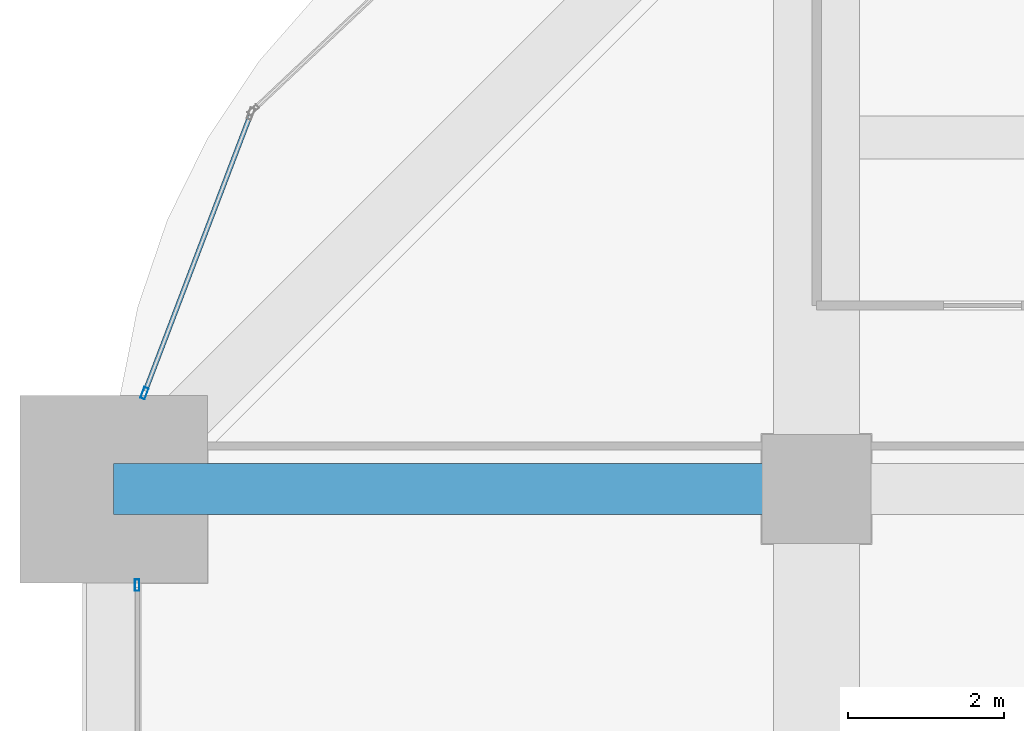
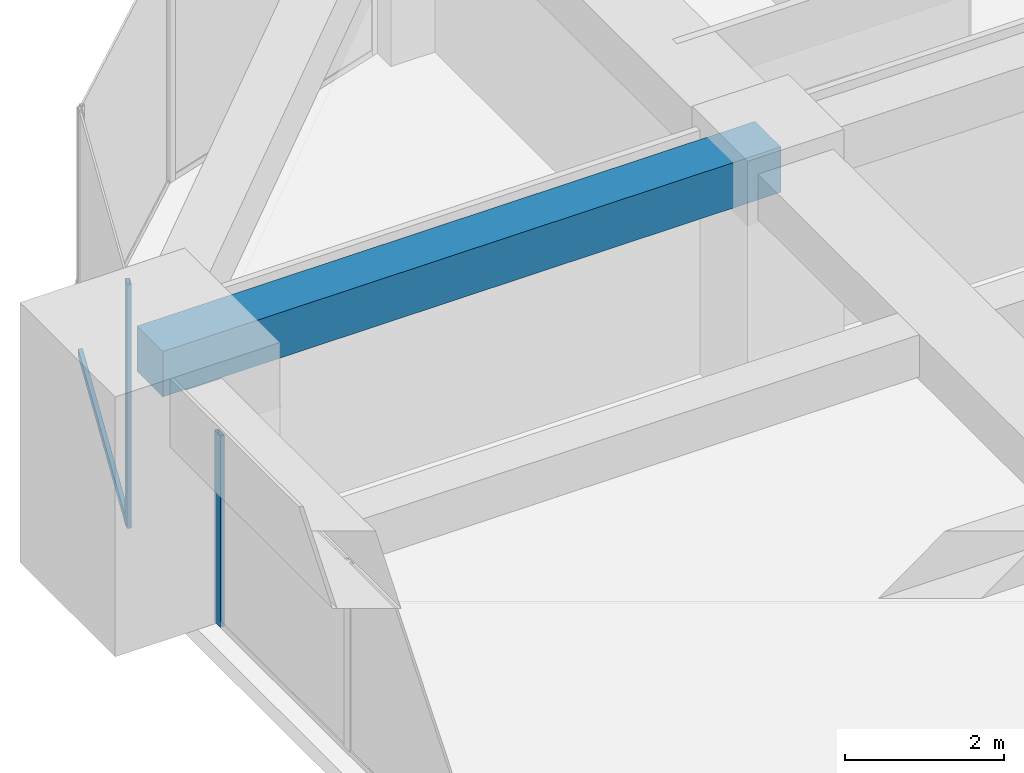
# One storey, part 20 of 32: 3 members, 1 beam, 2 elements without a shape of their own.
"""IFC4 building model written with IfcOpenShell, lengths in metres."""

from ifc_helpers import new_model, si_unit, direction, frame, origin, origin_2d, place, context, subcontext, project, spatial, rectangle, hollow_rectangle, extrude, material, material_profile, profile_set, type_object, element, aggregate, save


model = new_model("IFC4")

# Units and contexts
model_context = context("Model", 3, precision=1e-05, world=origin(), true_north=direction((0.0, 1.0)))
body_context = subcontext(model_context, "Body", "Model", "MODEL_VIEW")
ifc_project = project(units=[si_unit("LENGTHUNIT", "METRE"), si_unit("AREAUNIT", "SQUARE_METRE"), si_unit("VOLUMEUNIT", "CUBIC_METRE"), si_unit("PLANEANGLEUNIT", "RADIAN"), si_unit("MASSUNIT", "GRAM", prefix="KILO")], contexts=[model_context])

# Site, building, storey
site_placement = place(None, origin())
site = spatial("IfcSite", under=ifc_project, at=site_placement, CompositionType="ELEMENT")
building_placement = place(site_placement, origin())
building = spatial("IfcBuilding", under=site, at=building_placement, Name="Zorevar Civic Tower", CompositionType="ELEMENT")
storey_placement = place(building_placement, frame((0.0, 0.0, 198.199951171875)))
storey = spatial("IfcBuildingStorey", under=building, at=storey_placement, Name="L48", CompositionType="ELEMENT", Elevation=198.199951171875)

# Beam
ifc_material_1 = material(Name="Concrete C50/60", Category="concrete")
ifc_material_profile_1 = material_profile(ifc_material_1, rectangle(XDim=0.64990234375, YDim=0.699951171875, at=origin_2d()), Name="RC 650x700")
ifc_profile_set_1 = profile_set([ifc_material_profile_1], Name="Concrete C50/60")
beam_type = type_object("IfcBeamType", Name="Beam RC 650x700", PredefinedType="BEAM", material=ifc_profile_set_1)
beam_placement = place(storey_placement, frame((0.0, 36.0, 3.400146484375), z_axis=(1.0, 0.0, 0.0), x_axis=(0.0, 1.0, 0.0)))
element("IfcBeam", 1, at=beam_placement, inside=storey, type_object=beam_type, Name="Girder L49", PredefinedType="BEAM", context=body_context, shape_type="SweptSolid", body=[
    extrude(rectangle(XDim=0.64990234375, YDim=0.699951171875, at=origin_2d()), origin(), (0.0, 0.0, 1.0), 9.0),
])

# Curtain wall, member
ifc_material_2 = material(Name="Dark grey solar-control glass in black aluminium frame", Category="aluminium")
curtain_wall_type = type_object("IfcCurtainWallType", Name="Curtain wall CW4 high zone", PredefinedType="NOTDEFINED", material=ifc_material_2)
curtain_wall_1_placement = place(storey_placement, origin())
curtain_wall_1 = element("IfcCurtainWall", 2, at=curtain_wall_1_placement, inside=storey, type_object=curtain_wall_type, Name="CW4 L48", PredefinedType="NOTDEFINED")
ifc_material_3 = material(Name="Aluminium, black anodised", Category="aluminium")
ifc_material_profile_2 = material_profile(ifc_material_3, hollow_rectangle(XDim=0.06005859375, YDim=0.14990234375, WallThickness=0.00390625, at=origin_2d()), Name="AL 150x60x4")
ifc_profile_set_2 = profile_set([ifc_material_profile_2], Name="Aluminium, black anodised")
member_type_1 = type_object("IfcMemberType", Name="CW4 mullion AL 150x60x4", PredefinedType="MULLION", material=ifc_profile_set_2)
member_1_placement = place(storey_placement, frame((0.300048828125, 34.77001953125, 0.0), z_axis=(0.0, 0.0, 1.0), x_axis=(-1.0, 0.0, 0.0)))
member_1 = element("IfcMember", 3, at=member_1_placement, type_object=member_type_1, Name="CW4 mullion 3", PredefinedType="MULLION", context=body_context, shape_type="SweptSolid", body=[
    extrude(hollow_rectangle(XDim=0.06005859375, YDim=0.14990234375, WallThickness=0.00390625, at=origin_2d()), origin(), (0.0, 0.0, 1.0), 2.949951171875),
])
aggregate(curtain_wall_1, [member_1])

# Curtain wall, members
curtain_wall_2_placement = place(storey_placement, origin())
curtain_wall_2 = element("IfcCurtainWall", 4, at=curtain_wall_2_placement, inside=storey, type_object=curtain_wall_type, Name="CW4 L48", PredefinedType="NOTDEFINED")
member_2_placement = place(storey_placement, frame((0.393798828125, 37.22802734375, 0.0), z_axis=(0.0, 0.0, 1.0), x_axis=(0.93458842801, -0.355730895803, 0.0)))
member_2 = element("IfcMember", 5, at=member_2_placement, type_object=member_type_1, Name="CW4 mullion 2", PredefinedType="MULLION", context=body_context, shape_type="SweptSolid", body=[
    extrude(hollow_rectangle(XDim=0.06005859375, YDim=0.14990234375, WallThickness=0.00390625, at=origin_2d()), origin(), (0.0, 0.0, 1.0), 3.75),
])
ifc_material_4 = material(Name="Aluminium, black anodised", Category="aluminium")
ifc_material_profile_3 = material_profile(ifc_material_4, hollow_rectangle(XDim=0.06005859375, YDim=0.1201171875, WallThickness=0.0029296875, at=origin_2d()), Name="AL 120x60x3")
ifc_profile_set_3 = profile_set([ifc_material_profile_3], Name="Aluminium, black anodised")
member_type_2 = type_object("IfcMemberType", Name="CW4 transom AL 120x60x3", PredefinedType="USERDEFINED", material=ifc_profile_set_3)
member_3_placement = place(storey_placement, frame((1.74462890625, 40.77685546875, 0.030029296875), z_axis=(-0.355728511406, -0.934589335576, 0.0), x_axis=(0.934589335576, -0.355728511406, 0.0)))
member_3 = element("IfcMember", 6, at=member_3_placement, type_object=member_type_2, Name="CW4 sill transom", ObjectType="TRANSOM", PredefinedType="USERDEFINED", context=body_context, shape_type="SweptSolid", body=[
    extrude(hollow_rectangle(XDim=0.06005859375, YDim=0.1201171875, WallThickness=0.0029296875, at=origin_2d()), origin(), (0.0, 0.0, 1.0), 3.76708984375),
])
aggregate(curtain_wall_2, [member_2, member_3])

save(model, "model.ifc")
